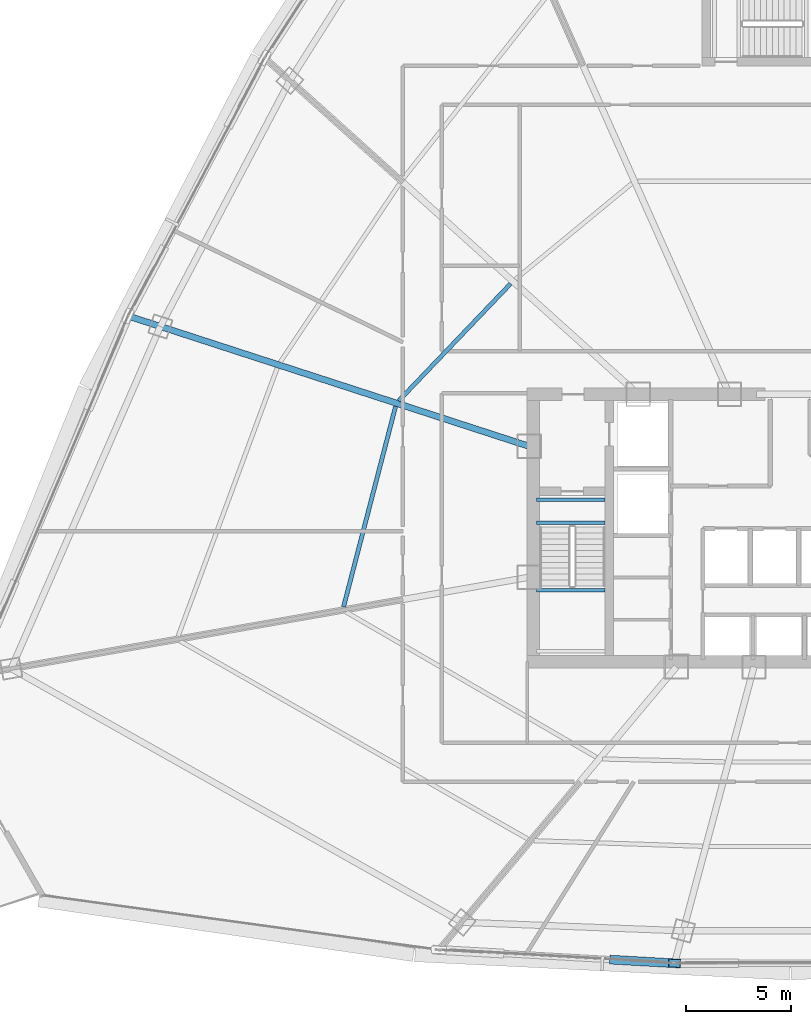
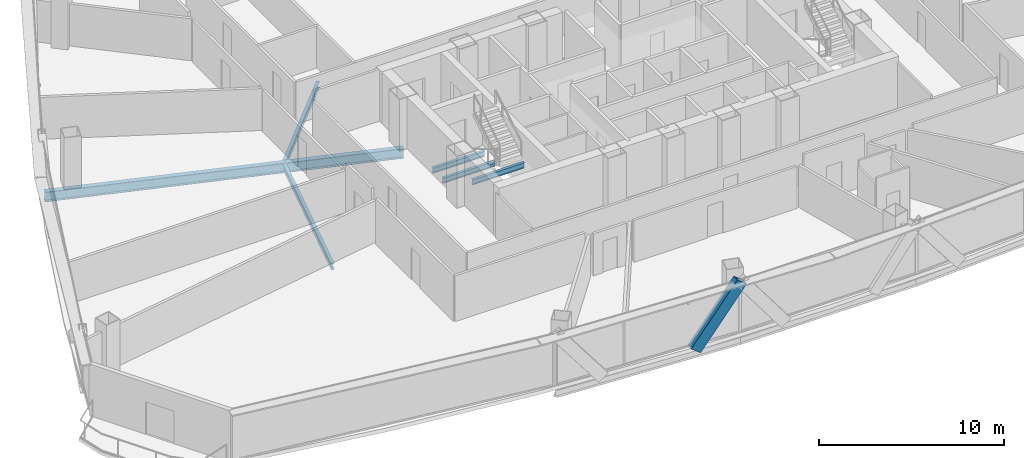
# One storey, part 9 of 39: 6 beams, 1 member.
"""IFC4 building model written with IfcOpenShell, lengths in metres."""

import ifcopenshell
import ifcopenshell.guid

model = None  # the IFC model being written
_history = None  # IfcOwnerHistory: only IFC2X3 demands one
_inside = {}  # id of a spatial element -> (the spatial element, [elements in it])
_under = {}  # id of a project, library or spatial element -> (it, [spatial elements below it])
_declared = {}  # id of a project -> (the project, [libraries it declares])
_typed = {}  # id of a type object -> (the type object, [elements of that type])
_made_of = {}  # id of a material, layer set ... -> (it, [elements and type objects made of it])


def new_model(schema):
    """Start an empty IFC model of exactly this schema.

    Asked for "IFC4X3", IfcOpenShell would pick the latest addendum, in which some entities
    have other attributes; the version numbers below select the first issue.
    IFC2X3 requires an IfcOwnerHistory on every rooted entity: one is made here for all.
    """
    global model, _history
    if schema == "IFC4X3":
        model = ifcopenshell.file(schema_version=(4, 3, 0, 0))
    else:
        model = ifcopenshell.file(schema=schema)
    _inside.clear()
    _under.clear()
    _declared.clear()
    _typed.clear()
    _made_of.clear()
    _history = None
    if model.schema == "IFC2X3":
        org = make("IfcOrganization", Name="unknown")
        user = make(
            "IfcPersonAndOrganization",
            ThePerson=make("IfcPerson", FamilyName="unknown"),
            TheOrganization=org,
        )
        app = make(
            "IfcApplication",
            ApplicationDeveloper=org,
            Version="unknown",
            ApplicationFullName="unknown",
            ApplicationIdentifier="unknown",
        )
        _history = make(
            "IfcOwnerHistory",
            OwningUser=user,
            OwningApplication=app,
            ChangeAction="ADDED",
            CreationDate=0,
        )
    return model


def make(cls, **values):
    """One entity of the class cls with the attributes given. An attribute that is None is left unset."""
    return model.create_entity(
        cls, **{name: value for name, value in values.items() if value is not None}
    )


def rooted(cls, **values):
    """An entity with a GlobalId (a new one), such as an element, a storey or a relation."""
    return make(cls, GlobalId=ifcopenshell.guid.new(), OwnerHistory=_history, **values)


def si_unit(unit_type, name, prefix=None):
    """IfcSIUnit, for example si_unit("LENGTHUNIT", "METRE", prefix="MILLI")."""
    return make("IfcSIUnit", UnitType=unit_type, Prefix=prefix, Name=name)


def assignment(units):
    """IfcUnitAssignment: the units of a project."""
    return None if units is None else make("IfcUnitAssignment", Units=units)


def point(xyz):
    """IfcCartesianPoint."""
    return None if xyz is None else make("IfcCartesianPoint", Coordinates=xyz)


def direction(xyz):
    """IfcDirection."""
    return None if xyz is None else make("IfcDirection", DirectionRatios=xyz)


def frame(location, z_axis=None, x_axis=None):
    """IfcAxis2Placement3D, a coordinate frame: its origin and axes. An axis left out is left unset."""
    return make(
        "IfcAxis2Placement3D",
        Location=point(location),
        Axis=direction(z_axis),
        RefDirection=direction(x_axis),
    )


def frame_2d(location, x_axis=None):
    """IfcAxis2Placement2D, a coordinate frame in the plane: its origin and x axis."""
    return make(
        "IfcAxis2Placement2D", Location=point(location), RefDirection=direction(x_axis)
    )


def origin():
    """The frame at (0, 0, 0) with its axes left unset."""
    return frame((0.0, 0.0, 0.0))


def origin_2d():
    """The frame at (0, 0) in the plane with its x axis left unset."""
    return frame_2d((0.0, 0.0))


def place(relative_to, where):
    """IfcLocalPlacement: puts the frame where relative to a parent placement (None: the world)."""
    return make(
        "IfcLocalPlacement", PlacementRelTo=relative_to, RelativePlacement=where
    )


def context(
    kind, dimensions, precision=None, world=None, true_north=None, identifier=None
):
    """IfcGeometricRepresentationContext, for example the 3D "Model" context."""
    return make(
        "IfcGeometricRepresentationContext",
        ContextIdentifier=identifier,
        ContextType=kind,
        CoordinateSpaceDimension=dimensions,
        Precision=precision,
        WorldCoordinateSystem=world,
        TrueNorth=true_north,
    )


def subcontext(parent, identifier, kind, view, scale=None):
    """IfcGeometricRepresentationSubContext, for example "Body" below "Model"."""
    return make(
        "IfcGeometricRepresentationSubContext",
        ContextIdentifier=identifier,
        ContextType=kind,
        ParentContext=parent,
        TargetScale=scale,
        TargetView=view,
    )


def project(units=None, contexts=None):
    """IfcProject with its units and contexts."""
    return rooted(
        "IfcProject",
        Name="project",
        RepresentationContexts=contexts,
        UnitsInContext=assignment(units),
    )


def spatial(cls, under=None, at=None, **own):
    """A site, building, storey or space (cls), placed at a placement, below another one or the project."""
    s = rooted(cls, ObjectPlacement=at, **own)
    if under is not None:
        _under.setdefault(under.id(), (under, []))[1].append(s)
    return s


def profile(cls, at=None, kind="AREA", **sizes):
    """A parametric profile (cls). Its sizes go by their IFC names, for example OverallWidth=200.0."""
    return make(cls, ProfileType=kind, Position=at, **sizes)


def hollow_rectangle(**sizes):
    """IfcRectangleHollowProfileDef."""
    return profile("IfcRectangleHollowProfileDef", **sizes)


def i_section(**sizes):
    """IfcIShapeProfileDef."""
    return profile("IfcIShapeProfileDef", **sizes)


def extrude(swept, where, along, depth):
    """IfcExtrudedAreaSolid: the profile swept, set in the frame where, extruded along a direction by depth."""
    return make(
        "IfcExtrudedAreaSolid",
        SweptArea=swept,
        Position=where,
        ExtrudedDirection=direction(along),
        Depth=depth,
    )


def shape(context_of_items, identifier, shape_type, items):
    """IfcShapeRepresentation: the items that make up one representation, for example the "Body"."""
    return make(
        "IfcShapeRepresentation",
        ContextOfItems=context_of_items,
        RepresentationIdentifier=identifier,
        RepresentationType=shape_type,
        Items=items,
    )


def source(mapping_origin, context_of_items, identifier, shape_type, items):
    """IfcRepresentationMap: a shape defined once, which mapped items show again and again."""
    return make(
        "IfcRepresentationMap",
        MappingOrigin=mapping_origin,
        MappedRepresentation=shape(context_of_items, identifier, shape_type, items),
    )


def transform(
    local_origin,
    x_axis=None,
    y_axis=None,
    z_axis=None,
    scale=None,
    scale2=None,
    scale3=None,
    uniform=True,
):
    """IfcCartesianTransformationOperator3D, or its non-uniform kind. x_axis, y_axis, z_axis: its Axis1, 2, 3."""
    if uniform:
        return make(
            "IfcCartesianTransformationOperator3D",
            Axis1=direction(x_axis),
            Axis2=direction(y_axis),
            LocalOrigin=point(local_origin),
            Scale=scale,
            Axis3=direction(z_axis),
        )
    return make(
        "IfcCartesianTransformationOperator3DnonUniform",
        Axis1=direction(x_axis),
        Axis2=direction(y_axis),
        LocalOrigin=point(local_origin),
        Scale=scale,
        Axis3=direction(z_axis),
        Scale2=scale2,
        Scale3=scale3,
    )


def mapped(mapping_source, mapping_target):
    """IfcMappedItem: shows the shape of a source again, moved by a transform."""
    return make(
        "IfcMappedItem", MappingSource=mapping_source, MappingTarget=mapping_target
    )


def material(Name=None, Category=None):
    """IfcMaterial."""
    return make("IfcMaterial", Name=Name, Category=Category)


def material_profile(
    of_material, cross_section, Name=None, Category=None, Priority=None
):
    """IfcMaterialProfile: a cross section and its material."""
    return make(
        "IfcMaterialProfile",
        Name=Name,
        Material=of_material,
        Profile=cross_section,
        Priority=Priority,
        Category=Category,
    )


def profile_set(profiles, Name=None, composite=None):
    """IfcMaterialProfileSet."""
    return make(
        "IfcMaterialProfileSet",
        Name=Name,
        MaterialProfiles=profiles,
        CompositeProfile=composite,
    )


def made_of(thing, what):
    """Note that an element or type object is made of a material, layer set ...; save() writes the relation."""
    if what is not None:
        _made_of.setdefault(what.id(), (what, []))[1].append(thing)
    return thing


def type_object(cls, material=None, **own):
    """A type object (cls), such as IfcWallType, which elements share."""
    return made_of(rooted(cls, **own), material)


def element(
    cls,
    number,
    at=None,
    inside=None,
    cuts=None,
    type_object=None,
    material=None,
    context=None,
    identifier="Body",
    shape_type=None,
    held_by="IfcProductDefinitionShape",
    body=None,
    shapes=None,
    **own,
):
    """One element of the class cls, such as IfcWall. Its Tag is "e" and its number.

    at: its placement. inside: the storey or other place that contains it. cuts: it is an
    opening in that element (IfcRelVoidsElement). A single representation is given by context,
    identifier, shape_type and body (its items); several are given by shapes. held_by: the class
    of the entity that holds the representations. save() writes the other relations.
    """
    e = rooted(cls, Tag="e%d" % number, ObjectPlacement=at, **own)
    if body is not None:
        shapes = [shape(context, identifier, shape_type, body)]
    if shapes is not None:
        e.Representation = make(held_by, Representations=shapes)
    if inside is not None:
        _inside.setdefault(inside.id(), (inside, []))[1].append(e)
    if cuts is not None:
        rooted(
            "IfcRelVoidsElement", RelatingBuildingElement=cuts, RelatedOpeningElement=e
        )
    if type_object is not None:
        _typed.setdefault(type_object.id(), (type_object, []))[1].append(e)
    return made_of(e, material)


def aggregate(whole, parts):
    """IfcRelAggregates: a whole, such as a stair, and the parts it consists of."""
    return rooted("IfcRelAggregates", RelatingObject=whole, RelatedObjects=parts)


def save(model, path):
    """Write the relations noted so far, then the file.

    IfcRelAggregates (storeys below a building ...), IfcRelContainedInSpatialStructure (elements
    in a storey), IfcRelDefinesByType, IfcRelAssociatesMaterial and IfcRelDeclares: one each for
    every whole, place, type object, material and project.
    """
    for whole, parts in _under.values():
        aggregate(whole, parts)
    for where, things in _inside.values():
        rooted(
            "IfcRelContainedInSpatialStructure",
            RelatedElements=things,
            RelatingStructure=where,
        )
    for kind, things in _typed.values():
        rooted("IfcRelDefinesByType", RelatedObjects=things, RelatingType=kind)
    for what, things in _made_of.values():
        rooted("IfcRelAssociatesMaterial", RelatedObjects=things, RelatingMaterial=what)
    for by, libraries in _declared.values():
        rooted("IfcRelDeclares", RelatingContext=by, RelatedDefinitions=libraries)
    model.write(path)


model = new_model("IFC4")

# Units and contexts
model_context = context("Model", 3, precision=1e-05, world=origin(), true_north=direction((0.0, 1.0)))
body_context = subcontext(model_context, "Body", "Model", "MODEL_VIEW")
ifc_project = project(units=[si_unit("LENGTHUNIT", "METRE"), si_unit("AREAUNIT", "SQUARE_METRE"), si_unit("VOLUMEUNIT", "CUBIC_METRE"), si_unit("PLANEANGLEUNIT", "RADIAN"), si_unit("MASSUNIT", "GRAM", prefix="KILO"), si_unit("THERMODYNAMICTEMPERATUREUNIT", "KELVIN"), si_unit("POWERUNIT", "WATT")], contexts=[model_context])

# Site, building, storey
site_placement = place(None, origin())
site = spatial("IfcSite", under=ifc_project, at=site_placement, CompositionType="ELEMENT")
building_placement = place(site_placement, origin())
building = spatial("IfcBuilding", under=site, at=building_placement, Name="Yunzhuo Pagoda Commons", CompositionType="ELEMENT")
storey_placement = place(building_placement, frame((0.0, 0.0, 140.8701171875)))
storey = spatial("IfcBuildingStorey", under=building, at=storey_placement, Name="L35", CompositionType="ELEMENT", Elevation=140.8701171875)

# Beams
ifc_material_1 = material(Name="Structural steel Q355B", Category="steel")
ifc_material_profile_1 = material_profile(ifc_material_1, i_section(OverallWidth=0.175048828125, OverallDepth=0.35009765625, WebThickness=0.007080078125, FlangeThickness=0.010986328125, at=origin_2d()), Name="Structural steel Q355B")
ifc_profile_set_1 = profile_set([ifc_material_profile_1], Name="Structural steel Q355B")
beam_type_1 = type_object("IfcBeamType", Name="B-JS2 Joist HN 350x175x7x11", PredefinedType="JOIST", material=ifc_profile_set_1)
shared_shape_1 = source(origin(), body_context, "Body", "SweptSolid", [
    extrude(i_section(OverallWidth=0.175048828125, OverallDepth=0.35009765625, WebThickness=0.007080078125, FlangeThickness=0.010986328125, at=origin_2d()), origin(), (0.0, 0.0, 1.0), 3.25),
])
for number, where, z_axis, x_axis, name in (
    (1, (35.949951171875, 30.89990234375, 1.46484375), (1.0, 0.0, 0.0), (0.0, 1.0, 0.0), "L35 ST1 landing support beam 41B"),
    (2, (35.949951171875, 34.10009765625, -0.375), (1.0, 0.0, 0.0), (0.0, 1.0, 0.0), "L35 ST1 landing support beam 139A"),
    (3, (35.949951171875, 35.199951171875, -0.375), (1.0, 0.0, 0.0), (0.0, 1.0, 0.0), "L35 ST1 landing support beam 139B"),
):
    element("IfcBeam", number, at=place(storey_placement, frame(where, z_axis=z_axis, x_axis=x_axis)), inside=storey, type_object=beam_type_1, Name=name, PredefinedType="JOIST", context=body_context, shape_type="MappedRepresentation", body=[
        mapped(shared_shape_1, transform((0.0, 0.0, 0.0), scale=1.0)),
    ])
ifc_material_profile_2 = material_profile(ifc_material_1, i_section(OverallWidth=0.199951171875, OverallDepth=0.39990234375, WebThickness=0.008056640625, FlangeThickness=0.012939453125, at=origin_2d()), Name="Structural steel Q355B")
ifc_profile_set_2 = profile_set([ifc_material_profile_2], Name="Structural steel Q355B")
beam_type_2 = type_object("IfcBeamType", Name="B-JS1 Joist HN 400x200x8x13", PredefinedType="JOIST", material=ifc_profile_set_2)
shared_shape_2 = source(origin(), body_context, "Body", "SweptSolid", [
    extrude(i_section(OverallWidth=0.199951171875, OverallDepth=0.39990234375, WebThickness=0.008056640625, FlangeThickness=0.012939453125, at=origin_2d()), origin(), (0.0, 0.0, 1.0), 9.8330078125),
])
beam_1_placement = place(storey_placement, frame((29.254638671875, 39.623779296875, -0.460205078125), z_axis=(-0.251166367041, -0.967943932295, 0.0), x_axis=(0.967943932295, -0.251166367041, 0.0)))
element("IfcBeam", 4, at=beam_1_placement, inside=storey, type_object=beam_type_2, Name="L35 composite ring joist 1.11", PredefinedType="JOIST", context=body_context, shape_type="MappedRepresentation", body=[
    mapped(shared_shape_2, transform((0.0, 0.0, 0.0), scale=1.0)),
])
shared_shape_3 = source(origin(), body_context, "Body", "SweptSolid", [
    extrude(i_section(OverallWidth=0.199951171875, OverallDepth=0.39990234375, WebThickness=0.008056640625, FlangeThickness=0.012939453125, at=origin_2d()), origin(), (0.0, 0.0, 1.0), 7.685546875),
])
beam_2_placement = place(storey_placement, frame((34.714111328125, 45.448974609375, -0.460205078125), z_axis=(-0.690882862648, -0.722966714378, 0.0), x_axis=(0.722966714378, -0.690882862648, 0.0)))
element("IfcBeam", 5, at=beam_2_placement, inside=storey, type_object=beam_type_2, Name="L35 composite ring joist 1.10", PredefinedType="JOIST", context=body_context, shape_type="MappedRepresentation", body=[
    mapped(shared_shape_3, transform((0.0, 0.0, 0.0), scale=1.0)),
])
ifc_material_profile_3 = material_profile(ifc_material_1, i_section(OverallWidth=0.300048828125, OverallDepth=0.64990234375, WebThickness=0.012939453125, FlangeThickness=0.02197265625, at=origin_2d()), Name="Structural steel Q355B")
ifc_profile_set_3 = profile_set([ifc_material_profile_3], Name="Structural steel Q355B")
beam_type_3 = type_object("IfcBeamType", Name="B-RG2 Beam HN 650x300x13x22", PredefinedType="BEAM", material=ifc_profile_set_3)
shared_shape_4 = source(origin(), body_context, "Body", "SweptSolid", [
    extrude(i_section(OverallWidth=0.300048828125, OverallDepth=0.64990234375, WebThickness=0.012939453125, FlangeThickness=0.02197265625, at=origin_2d()), origin(), (0.0, 0.0, 1.0), 19.877197265625),
])
beam_3_placement = place(storey_placement, frame((16.69580078125, 43.871337890625, -0.585205078125), z_axis=(0.951057172971, -0.309014973328, 0.0), x_axis=(0.309014973328, 0.951057172971, 0.0)))
element("IfcBeam", 6, at=beam_3_placement, inside=storey, type_object=beam_type_3, Name="L35 radial floor girder F3C3", PredefinedType="BEAM", context=body_context, shape_type="MappedRepresentation", body=[
    mapped(shared_shape_4, transform((0.0, 0.0, 0.0), scale=1.0)),
])

# Member
ifc_material_2 = material(Name="Structural steel Q420B", Category="steel")
ifc_material_profile_4 = material_profile(ifc_material_2, hollow_rectangle(XDim=0.419921875, YDim=0.719970703125, WallThickness=0.028076171875, at=origin_2d()), Name="Structural steel Q420B")
ifc_profile_set_4 = profile_set([ifc_material_profile_4], Name="Structural steel Q420B")
member_type = type_object("IfcMemberType", Name="M-DL1 Brace BOX 720x420x28", PredefinedType="BRACE", material=ifc_profile_set_4)
shared_shape_5 = source(origin(), body_context, "Body", "SweptSolid", [
    extrude(hollow_rectangle(XDim=0.419921875, YDim=0.719970703125, WallThickness=0.028076171875, at=origin_2d()), origin(), (0.0, 0.0, 1.0), 4.625),
])
member_placement = place(storey_placement, frame((39.705078125, 13.339111328125, -0.260009765625), z_axis=(0.604745460472, -0.034259759414, 0.795681592676), x_axis=(0.056560845928, 0.998399154, 0.0)))
element("IfcMember", 7, at=member_placement, inside=storey, type_object=member_type, Name="L35 facade diamond brace F1.1R", PredefinedType="BRACE", context=body_context, shape_type="MappedRepresentation", body=[
    mapped(shared_shape_5, transform((0.0, 0.0, 0.0), scale=1.0)),
])

save(model, "model.ifc")
